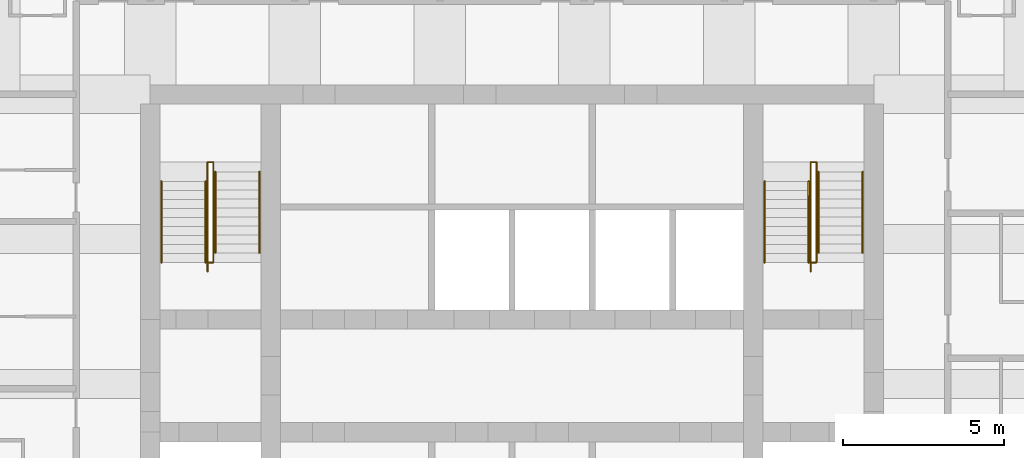
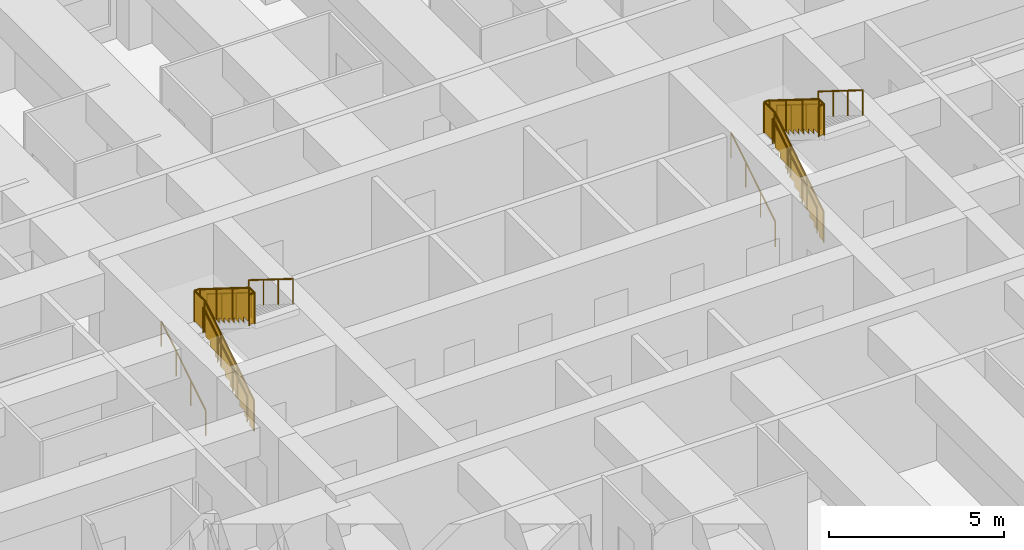
# One storey, part 8 of 8: 12 railings.
"""IFC4 building model written with IfcOpenShell, lengths in metres."""

from ifc_helpers import new_model, si_unit, direction, frame, origin, origin_2d, place, context, subcontext, project, spatial, polyline, circle, outline, extrude, material, type_object, element, save


model = new_model("IFC4")

# Units and contexts
model_context = context("Model", 3, precision=1e-05, world=origin(), true_north=direction((0.0, 1.0)))
body_context = subcontext(model_context, "Body", "Model", "MODEL_VIEW")
ifc_project = project(units=[si_unit("LENGTHUNIT", "METRE"), si_unit("AREAUNIT", "SQUARE_METRE"), si_unit("VOLUMEUNIT", "CUBIC_METRE"), si_unit("PLANEANGLEUNIT", "RADIAN"), si_unit("MASSUNIT", "GRAM", prefix="KILO")], contexts=[model_context])

# Site, building, storey
site_placement = place(None, origin())
site = spatial("IfcSite", under=ifc_project, at=site_placement, CompositionType="ELEMENT")
building_placement = place(site_placement, origin())
building = spatial("IfcBuilding", under=site, at=building_placement, Name="Kilele Tower Hotel", CompositionType="ELEMENT")
storey_placement = place(building_placement, frame((0.0, 0.0, 186.89990234375)))
storey = spatial("IfcBuildingStorey", under=building, at=storey_placement, Name="L48", CompositionType="ELEMENT", Elevation=186.89990234375)

# Railings
ifc_material_1 = material(Name="Steel handrail", Category="steel")
railing_type_1 = type_object("IfcRailingType", Name="Handrail 900", PredefinedType="HANDRAIL", material=ifc_material_1)
for number, where, name in (
    (1, (13.85009765625, 21.77490234375, 0.175048828125), "Handrail ST1 flight 1"),
    (2, (15.22509765625, 21.77490234375, 0.175048828125), "Handrail ST1 flight 1"),
):
    element("IfcRailing", number, at=place(storey_placement, frame(where)), inside=storey, type_object=railing_type_1, Name=name, PredefinedType="HANDRAIL", context=body_context, shape_type="SweptSolid", body=[
        extrude(circle(Radius=0.02490234375, at=origin_2d()), frame((0.0, 0.0, 0.875), z_axis=(0.0, 0.848007534815, 0.529984170421), x_axis=(-1.0, 0.0, 0.0)), (0.0, 0.0, 1.0), 2.9716796875),
        extrude(circle(Radius=0.02001953125, at=origin_2d()), origin(), (0.0, 0.0, 1.0), 0.849853515625),
        extrude(circle(Radius=0.02001953125, at=origin_2d()), frame((0.0, 0.840087890625, 0.52490234375)), (0.0, 0.0, 1.0), 0.849853515625),
        extrude(circle(Radius=0.02001953125, at=origin_2d()), frame((0.0, 1.679931640625, 1.050048828125)), (0.0, 0.0, 1.0), 0.849853515625),
        extrude(circle(Radius=0.02001953125, at=origin_2d()), frame((0.0, 2.52001953125, 1.574951171875)), (0.0, 0.0, 1.0), 0.849853515625),
    ])
for number, where, name in (
    (3, (15.52490234375, 24.594970703125, 1.925048828125), "Handrail ST1 flight 2"),
    (4, (16.89990234375, 24.594970703125, 1.925048828125), "Handrail ST1 flight 2"),
):
    element("IfcRailing", number, at=place(storey_placement, frame(where)), inside=storey, type_object=railing_type_1, Name=name, PredefinedType="HANDRAIL", context=body_context, shape_type="SweptSolid", body=[
        extrude(circle(Radius=0.02490234375, at=origin_2d()), frame((0.0, 0.0, 0.875), z_axis=(0.0, -0.848007534815, 0.529984170421), x_axis=(1.0, 0.0, 0.0)), (0.0, 0.0, 1.0), 2.9716796875),
        extrude(circle(Radius=0.02001953125, at=origin_2d()), origin(), (0.0, 0.0, 1.0), 0.849853515625),
        extrude(circle(Radius=0.02001953125, at=origin_2d()), frame((0.0, -0.840087890625, 0.52490234375)), (0.0, 0.0, 1.0), 0.849853515625),
        extrude(circle(Radius=0.02001953125, at=origin_2d()), frame((0.0, -1.679931640625, 1.050048828125)), (0.0, 0.0, 1.0), 0.849853515625),
        extrude(circle(Radius=0.02001953125, at=origin_2d()), frame((0.0, -2.52001953125, 1.574951171875)), (0.0, 0.0, 1.0), 0.849853515625),
    ])
for number, where, name in (
    (5, (32.60009765625, 21.77490234375, 0.175048828125), "Handrail ST2 flight 1"),
    (6, (33.97509765625, 21.77490234375, 0.175048828125), "Handrail ST2 flight 1"),
):
    element("IfcRailing", number, at=place(storey_placement, frame(where)), inside=storey, type_object=railing_type_1, Name=name, PredefinedType="HANDRAIL", context=body_context, shape_type="SweptSolid", body=[
        extrude(circle(Radius=0.02490234375, at=origin_2d()), frame((0.0, 0.0, 0.875), z_axis=(0.0, 0.848007534815, 0.529984170421), x_axis=(-1.0, 0.0, 0.0)), (0.0, 0.0, 1.0), 2.9716796875),
        extrude(circle(Radius=0.02001953125, at=origin_2d()), origin(), (0.0, 0.0, 1.0), 0.849853515625),
        extrude(circle(Radius=0.02001953125, at=origin_2d()), frame((0.0, 0.840087890625, 0.52490234375)), (0.0, 0.0, 1.0), 0.849853515625),
        extrude(circle(Radius=0.02001953125, at=origin_2d()), frame((0.0, 1.679931640625, 1.050048828125)), (0.0, 0.0, 1.0), 0.849853515625),
        extrude(circle(Radius=0.02001953125, at=origin_2d()), frame((0.0, 2.52001953125, 1.574951171875)), (0.0, 0.0, 1.0), 0.849853515625),
    ])
for number, where, name in (
    (7, (34.27490234375, 24.594970703125, 1.925048828125), "Handrail ST2 flight 2"),
    (8, (35.64990234375, 24.594970703125, 1.925048828125), "Handrail ST2 flight 2"),
):
    element("IfcRailing", number, at=place(storey_placement, frame(where)), inside=storey, type_object=railing_type_1, Name=name, PredefinedType="HANDRAIL", context=body_context, shape_type="SweptSolid", body=[
        extrude(circle(Radius=0.02490234375, at=origin_2d()), frame((0.0, 0.0, 0.875), z_axis=(0.0, -0.848007534815, 0.529984170421), x_axis=(1.0, 0.0, 0.0)), (0.0, 0.0, 1.0), 2.9716796875),
        extrude(circle(Radius=0.02001953125, at=origin_2d()), origin(), (0.0, 0.0, 1.0), 0.849853515625),
        extrude(circle(Radius=0.02001953125, at=origin_2d()), frame((0.0, -0.840087890625, 0.52490234375)), (0.0, 0.0, 1.0), 0.849853515625),
        extrude(circle(Radius=0.02001953125, at=origin_2d()), frame((0.0, -1.679931640625, 1.050048828125)), (0.0, 0.0, 1.0), 0.849853515625),
        extrude(circle(Radius=0.02001953125, at=origin_2d()), frame((0.0, -2.52001953125, 1.574951171875)), (0.0, 0.0, 1.0), 0.849853515625),
    ])
ifc_material_2 = material(Name="Steel guard", Category="steel")
railing_type_2 = type_object("IfcRailingType", Name="Stair guard 1100", PredefinedType="GUARDRAIL", material=ifc_material_2)
railing_1_placement = place(storey_placement, frame((15.284912109375, 21.4951171875, 0.0)))
element("IfcRailing", 9, at=railing_1_placement, inside=storey, type_object=railing_type_2, Name="Stair well guard ST1 flight 1", PredefinedType="GUARDRAIL", context=body_context, shape_type="SweptSolid", body=[
    extrude(circle(Radius=0.02490234375, at=origin_2d()), frame((0.0, 0.0, 1.0751953125), z_axis=(0.0, 0.847981687118, 0.530025526095), x_axis=(-1.0, 0.0, 0.0)), (0.0, 0.0, 1.0), 3.3017578125),
    extrude(circle(Radius=0.02490234375, at=origin_2d()), frame((0.0, 2.7998046875, 2.8251953125), z_axis=(0.0, 1.0, 0.0), x_axis=(-1.0, 0.0, 0.0)), (0.0, 0.0, 1.0), 0.60009765625),
    extrude(circle(Radius=0.02490234375, at=origin_2d()), frame((0.0, 3.39990234375, 2.8251953125), z_axis=(1.0, 0.0, 0.0), x_axis=(0.0, 1.0, 0.0)), (0.0, 0.0, 1.0), 0.18017578125),
    extrude(circle(Radius=0.02490234375, at=origin_2d()), origin(), (0.0, 0.0, 1.0), 1.050048828125),
    extrude(circle(Radius=0.02490234375, at=origin_2d()), frame((0.0, 0.933349609375, 0.583251953125)), (0.0, 0.0, 1.0), 1.050048828125),
    extrude(circle(Radius=0.02490234375, at=origin_2d()), frame((0.0, 1.866455078125, 1.166748046875)), (0.0, 0.0, 1.0), 1.050048828125),
    extrude(circle(Radius=0.02490234375, at=origin_2d()), frame((0.0, 2.7998046875, 1.75)), (0.0, 0.0, 1.0), 1.050048828125),
    extrude(circle(Radius=0.02490234375, at=origin_2d()), frame((0.0, 3.39990234375, 1.75)), (0.0, 0.0, 1.0), 1.050048828125),
    extrude(circle(Radius=0.02490234375, at=origin_2d()), frame((0.18017578125, 3.39990234375, 1.75)), (0.0, 0.0, 1.0), 1.050048828125),
    extrude(outline(polyline([(0.012451171875, 0.030029296875), (0.25, 0.030029296875), (0.25, 0.205078125), (0.530029296875, 0.205078125), (0.530029296875, 0.380126953125), (0.809814453125, 0.380126953125), (0.809814453125, 0.554931640625), (1.08984375, 0.554931640625), (1.08984375, 0.72998046875), (1.369873046875, 0.72998046875), (1.369873046875, 0.905029296875), (1.64990234375, 0.905029296875), (1.64990234375, 1.080078125), (1.929931640625, 1.080078125), (1.929931640625, 1.255126953125), (2.209716796875, 1.255126953125), (2.209716796875, 1.429931640625), (2.48974609375, 1.429931640625), (2.48974609375, 1.60498046875), (2.769775390625, 1.60498046875), (2.769775390625, 1.780029296875), (2.787353515625, 1.780029296875), (2.787353515625, 2.787841796875), (0.012451171875, 1.053466796875), (0.012451171875, 0.030029296875)])), frame((-0.005859375, 0.0, 0.0), z_axis=(1.0, 0.0, 0.0), x_axis=(0.0, 1.0, 0.0)), (0.0, 0.0, 1.0), 0.011962890625),
    extrude(outline(polyline([(0.012451171875, 0.030029296875), (0.587646484375, 0.030029296875), (0.587646484375, 1.050048828125), (0.012451171875, 1.050048828125), (0.012451171875, 0.030029296875)])), frame((-0.005859375, 2.7998046875, 1.75), z_axis=(1.0, 0.0, 0.0), x_axis=(0.0, 1.0, 0.0)), (0.0, 0.0, 1.0), 0.011962890625),
    extrude(outline(polyline([(0.012451171875, 0.030029296875), (0.18017578125, 0.030029296875), (0.18017578125, 1.050048828125), (0.012451171875, 1.050048828125), (0.012451171875, 0.030029296875)])), frame((0.0, 3.40576171875, 1.75), z_axis=(0.0, -1.0, 0.0), x_axis=(1.0, 0.0, 0.0)), (0.0, 0.0, 1.0), 0.011962890625),
])
railing_2_placement = place(storey_placement, frame((15.465087890625, 24.89501953125, 1.75)))
element("IfcRailing", 10, at=railing_2_placement, inside=storey, type_object=railing_type_2, Name="Stair well guard ST1 flight 2", PredefinedType="GUARDRAIL", context=body_context, shape_type="SweptSolid", body=[
    extrude(circle(Radius=0.02490234375, at=origin_2d()), frame((0.0, 0.0, 1.0751953125), z_axis=(0.0, -1.0, 0.0), x_axis=(1.0, 0.0, 0.0)), (0.0, 0.0, 1.0), 0.02001953125),
    extrude(circle(Radius=0.02490234375, at=origin_2d()), frame((0.0, -0.02001953125, 1.0751953125), z_axis=(0.0, -0.848002457836, 0.529992293815), x_axis=(1.0, 0.0, 0.0)), (0.0, 0.0, 1.0), 3.302001953125),
    extrude(circle(Radius=0.02490234375, at=origin_2d()), frame((0.0, -2.820068359375, 2.8251953125), z_axis=(0.0, -1.0, 0.0), x_axis=(1.0, 0.0, 0.0)), (0.0, 0.0, 1.0), 0.300048828125),
    extrude(circle(Radius=0.02490234375, at=origin_2d()), frame((0.0, -3.1201171875, 2.8251953125), z_axis=(-1.0, 0.0, 0.0), x_axis=(0.0, -1.0, 0.0)), (0.0, 0.0, 1.0), 0.18017578125),
    extrude(circle(Radius=0.02490234375, at=origin_2d()), origin(), (0.0, 0.0, 1.0), 1.050048828125),
    extrude(circle(Radius=0.02490234375, at=origin_2d()), frame((0.0, -0.02001953125, 0.0)), (0.0, 0.0, 1.0), 1.050048828125),
    extrude(circle(Radius=0.02490234375, at=origin_2d()), frame((0.0, -0.953369140625, 0.583251953125)), (0.0, 0.0, 1.0), 1.050048828125),
    extrude(circle(Radius=0.02490234375, at=origin_2d()), frame((0.0, -1.88671875, 1.166748046875)), (0.0, 0.0, 1.0), 1.050048828125),
    extrude(circle(Radius=0.02490234375, at=origin_2d()), frame((0.0, -2.820068359375, 1.75)), (0.0, 0.0, 1.0), 1.050048828125),
    extrude(circle(Radius=0.02490234375, at=origin_2d()), frame((0.0, -3.1201171875, 1.75)), (0.0, 0.0, 1.0), 1.050048828125),
    extrude(circle(Radius=0.02490234375, at=origin_2d()), frame((-0.18017578125, -3.1201171875, 1.75)), (0.0, 0.0, 1.0), 1.050048828125),
    extrude(outline(polyline([(0.012451171875, 0.030029296875), (0.25, 0.030029296875), (0.25, 0.205078125), (0.530029296875, 0.205078125), (0.530029296875, 0.380126953125), (0.81005859375, 0.380126953125), (0.81005859375, 0.554931640625), (1.090087890625, 0.554931640625), (1.090087890625, 0.72998046875), (1.3701171875, 0.72998046875), (1.3701171875, 0.905029296875), (1.64990234375, 0.905029296875), (1.64990234375, 1.080078125), (1.929931640625, 1.080078125), (1.929931640625, 1.255126953125), (2.2099609375, 1.255126953125), (2.2099609375, 1.429931640625), (2.489990234375, 1.429931640625), (2.489990234375, 1.60498046875), (2.77001953125, 1.60498046875), (2.77001953125, 1.780029296875), (2.78759765625, 1.780029296875), (2.78759765625, 2.787841796875), (0.012451171875, 1.053466796875), (0.012451171875, 0.030029296875)])), frame((0.005859375, -0.02001953125, 0.0), z_axis=(-1.0, 0.0, 0.0), x_axis=(0.0, -1.0, 0.0)), (0.0, 0.0, 1.0), 0.011962890625),
    extrude(outline(polyline([(0.012451171875, 0.030029296875), (0.28759765625, 0.030029296875), (0.28759765625, 1.050048828125), (0.012451171875, 1.050048828125), (0.012451171875, 0.030029296875)])), frame((0.005859375, -2.820068359375, 1.75), z_axis=(-1.0, 0.0, 0.0), x_axis=(0.0, -1.0, 0.0)), (0.0, 0.0, 1.0), 0.011962890625),
    extrude(outline(polyline([(0.012451171875, 0.030029296875), (0.18017578125, 0.030029296875), (0.18017578125, 1.050048828125), (0.012451171875, 1.050048828125), (0.012451171875, 0.030029296875)])), frame((0.0, -3.1259765625, 1.75), z_axis=(0.0, 1.0, 0.0), x_axis=(-1.0, 0.0, 0.0)), (0.0, 0.0, 1.0), 0.011962890625),
])
railing_3_placement = place(storey_placement, frame((34.034912109375, 21.4951171875, 0.0)))
element("IfcRailing", 11, at=railing_3_placement, inside=storey, type_object=railing_type_2, Name="Stair well guard ST2 flight 1", PredefinedType="GUARDRAIL", context=body_context, shape_type="SweptSolid", body=[
    extrude(circle(Radius=0.02490234375, at=origin_2d()), frame((0.0, 0.0, 1.0751953125), z_axis=(0.0, 0.847981687118, 0.530025526095), x_axis=(-1.0, 0.0, 0.0)), (0.0, 0.0, 1.0), 3.3017578125),
    extrude(circle(Radius=0.02490234375, at=origin_2d()), frame((0.0, 2.7998046875, 2.8251953125), z_axis=(0.0, 1.0, 0.0), x_axis=(-1.0, 0.0, 0.0)), (0.0, 0.0, 1.0), 0.60009765625),
    extrude(circle(Radius=0.02490234375, at=origin_2d()), frame((0.0, 3.39990234375, 2.8251953125), z_axis=(1.0, 0.0, 0.0), x_axis=(0.0, 1.0, 0.0)), (0.0, 0.0, 1.0), 0.18017578125),
    extrude(circle(Radius=0.02490234375, at=origin_2d()), origin(), (0.0, 0.0, 1.0), 1.050048828125),
    extrude(circle(Radius=0.02490234375, at=origin_2d()), frame((0.0, 0.933349609375, 0.583251953125)), (0.0, 0.0, 1.0), 1.050048828125),
    extrude(circle(Radius=0.02490234375, at=origin_2d()), frame((0.0, 1.866455078125, 1.166748046875)), (0.0, 0.0, 1.0), 1.050048828125),
    extrude(circle(Radius=0.02490234375, at=origin_2d()), frame((0.0, 2.7998046875, 1.75)), (0.0, 0.0, 1.0), 1.050048828125),
    extrude(circle(Radius=0.02490234375, at=origin_2d()), frame((0.0, 3.39990234375, 1.75)), (0.0, 0.0, 1.0), 1.050048828125),
    extrude(circle(Radius=0.02490234375, at=origin_2d()), frame((0.18017578125, 3.39990234375, 1.75)), (0.0, 0.0, 1.0), 1.050048828125),
    extrude(outline(polyline([(0.012451171875, 0.030029296875), (0.25, 0.030029296875), (0.25, 0.205078125), (0.530029296875, 0.205078125), (0.530029296875, 0.380126953125), (0.809814453125, 0.380126953125), (0.809814453125, 0.554931640625), (1.08984375, 0.554931640625), (1.08984375, 0.72998046875), (1.369873046875, 0.72998046875), (1.369873046875, 0.905029296875), (1.64990234375, 0.905029296875), (1.64990234375, 1.080078125), (1.929931640625, 1.080078125), (1.929931640625, 1.255126953125), (2.209716796875, 1.255126953125), (2.209716796875, 1.429931640625), (2.48974609375, 1.429931640625), (2.48974609375, 1.60498046875), (2.769775390625, 1.60498046875), (2.769775390625, 1.780029296875), (2.787353515625, 1.780029296875), (2.787353515625, 2.787841796875), (0.012451171875, 1.053466796875), (0.012451171875, 0.030029296875)])), frame((-0.005859375, 0.0, 0.0), z_axis=(1.0, 0.0, 0.0), x_axis=(0.0, 1.0, 0.0)), (0.0, 0.0, 1.0), 0.011962890625),
    extrude(outline(polyline([(0.012451171875, 0.030029296875), (0.587646484375, 0.030029296875), (0.587646484375, 1.050048828125), (0.012451171875, 1.050048828125), (0.012451171875, 0.030029296875)])), frame((-0.005859375, 2.7998046875, 1.75), z_axis=(1.0, 0.0, 0.0), x_axis=(0.0, 1.0, 0.0)), (0.0, 0.0, 1.0), 0.011962890625),
    extrude(outline(polyline([(0.012451171875, 0.030029296875), (0.18017578125, 0.030029296875), (0.18017578125, 1.050048828125), (0.012451171875, 1.050048828125), (0.012451171875, 0.030029296875)])), frame((0.0, 3.40576171875, 1.75), z_axis=(0.0, -1.0, 0.0), x_axis=(1.0, 0.0, 0.0)), (0.0, 0.0, 1.0), 0.011962890625),
])
railing_4_placement = place(storey_placement, frame((34.215087890625, 24.89501953125, 1.75)))
element("IfcRailing", 12, at=railing_4_placement, inside=storey, type_object=railing_type_2, Name="Stair well guard ST2 flight 2", PredefinedType="GUARDRAIL", context=body_context, shape_type="SweptSolid", body=[
    extrude(circle(Radius=0.02490234375, at=origin_2d()), frame((0.0, 0.0, 1.0751953125), z_axis=(0.0, -1.0, 0.0), x_axis=(1.0, 0.0, 0.0)), (0.0, 0.0, 1.0), 0.02001953125),
    extrude(circle(Radius=0.02490234375, at=origin_2d()), frame((0.0, -0.02001953125, 1.0751953125), z_axis=(0.0, -0.848002457836, 0.529992293815), x_axis=(1.0, 0.0, 0.0)), (0.0, 0.0, 1.0), 3.302001953125),
    extrude(circle(Radius=0.02490234375, at=origin_2d()), frame((0.0, -2.820068359375, 2.8251953125), z_axis=(0.0, -1.0, 0.0), x_axis=(1.0, 0.0, 0.0)), (0.0, 0.0, 1.0), 0.300048828125),
    extrude(circle(Radius=0.02490234375, at=origin_2d()), frame((0.0, -3.1201171875, 2.8251953125), z_axis=(-1.0, 0.0, 0.0), x_axis=(0.0, -1.0, 0.0)), (0.0, 0.0, 1.0), 0.18017578125),
    extrude(circle(Radius=0.02490234375, at=origin_2d()), origin(), (0.0, 0.0, 1.0), 1.050048828125),
    extrude(circle(Radius=0.02490234375, at=origin_2d()), frame((0.0, -0.02001953125, 0.0)), (0.0, 0.0, 1.0), 1.050048828125),
    extrude(circle(Radius=0.02490234375, at=origin_2d()), frame((0.0, -0.953369140625, 0.583251953125)), (0.0, 0.0, 1.0), 1.050048828125),
    extrude(circle(Radius=0.02490234375, at=origin_2d()), frame((0.0, -1.88671875, 1.166748046875)), (0.0, 0.0, 1.0), 1.050048828125),
    extrude(circle(Radius=0.02490234375, at=origin_2d()), frame((0.0, -2.820068359375, 1.75)), (0.0, 0.0, 1.0), 1.050048828125),
    extrude(circle(Radius=0.02490234375, at=origin_2d()), frame((0.0, -3.1201171875, 1.75)), (0.0, 0.0, 1.0), 1.050048828125),
    extrude(circle(Radius=0.02490234375, at=origin_2d()), frame((-0.18017578125, -3.1201171875, 1.75)), (0.0, 0.0, 1.0), 1.050048828125),
    extrude(outline(polyline([(0.012451171875, 0.030029296875), (0.25, 0.030029296875), (0.25, 0.205078125), (0.530029296875, 0.205078125), (0.530029296875, 0.380126953125), (0.81005859375, 0.380126953125), (0.81005859375, 0.554931640625), (1.090087890625, 0.554931640625), (1.090087890625, 0.72998046875), (1.3701171875, 0.72998046875), (1.3701171875, 0.905029296875), (1.64990234375, 0.905029296875), (1.64990234375, 1.080078125), (1.929931640625, 1.080078125), (1.929931640625, 1.255126953125), (2.2099609375, 1.255126953125), (2.2099609375, 1.429931640625), (2.489990234375, 1.429931640625), (2.489990234375, 1.60498046875), (2.77001953125, 1.60498046875), (2.77001953125, 1.780029296875), (2.78759765625, 1.780029296875), (2.78759765625, 2.787841796875), (0.012451171875, 1.053466796875), (0.012451171875, 0.030029296875)])), frame((0.005859375, -0.02001953125, 0.0), z_axis=(-1.0, 0.0, 0.0), x_axis=(0.0, -1.0, 0.0)), (0.0, 0.0, 1.0), 0.011962890625),
    extrude(outline(polyline([(0.012451171875, 0.030029296875), (0.28759765625, 0.030029296875), (0.28759765625, 1.050048828125), (0.012451171875, 1.050048828125), (0.012451171875, 0.030029296875)])), frame((0.005859375, -2.820068359375, 1.75), z_axis=(-1.0, 0.0, 0.0), x_axis=(0.0, -1.0, 0.0)), (0.0, 0.0, 1.0), 0.011962890625),
    extrude(outline(polyline([(0.012451171875, 0.030029296875), (0.18017578125, 0.030029296875), (0.18017578125, 1.050048828125), (0.012451171875, 1.050048828125), (0.012451171875, 0.030029296875)])), frame((0.0, -3.1259765625, 1.75), z_axis=(0.0, 1.0, 0.0), x_axis=(-1.0, 0.0, 0.0)), (0.0, 0.0, 1.0), 0.011962890625),
])

save(model, "model.ifc")
